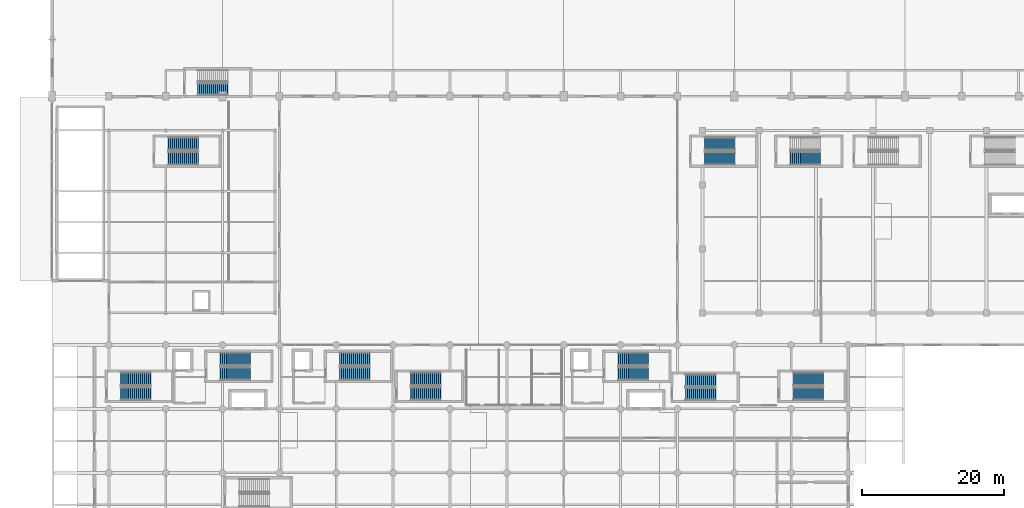
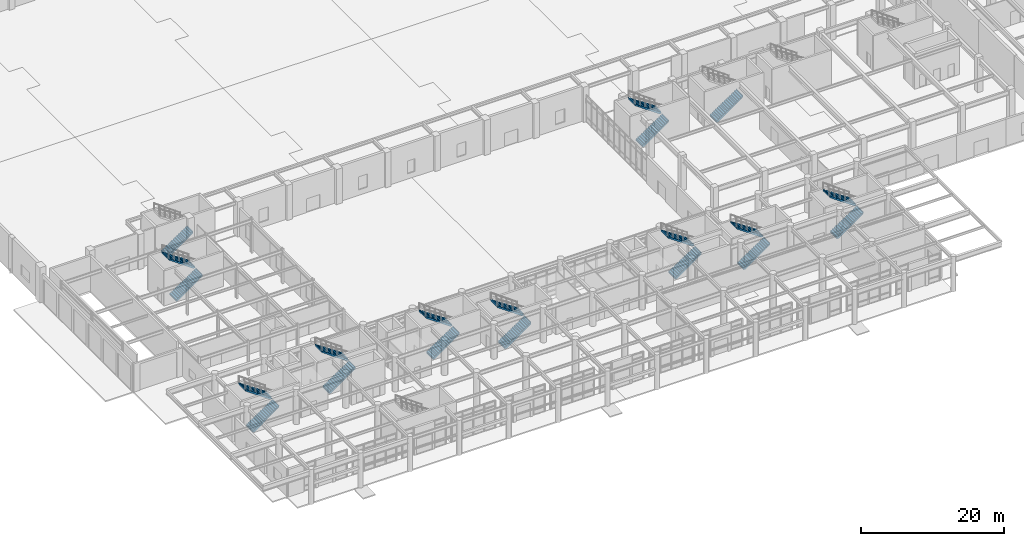
# One storey, part 38 of 49: 20 stair flights, 11 elements without a shape of their own.
"""IFC4 building model written with IfcOpenShell, lengths in metres."""

from ifc_helpers import new_model, si_unit, direction, frame, origin, place, context, subcontext, project, spatial, polyline, outline, extrude, material, type_object, element, aggregate, save


model = new_model("IFC4")

# Units and contexts
model_context = context("Model", 3, precision=1e-05, world=origin(), true_north=direction((0.0, 1.0)))
body_context = subcontext(model_context, "Body", "Model", "MODEL_VIEW")
ifc_project = project(units=[si_unit("LENGTHUNIT", "METRE"), si_unit("AREAUNIT", "SQUARE_METRE"), si_unit("VOLUMEUNIT", "CUBIC_METRE"), si_unit("PLANEANGLEUNIT", "RADIAN"), si_unit("MASSUNIT", "GRAM", prefix="KILO")], contexts=[model_context])

# Site, building, storey
site_placement = place(None, origin())
site = spatial("IfcSite", under=ifc_project, at=site_placement, CompositionType="ELEMENT")
building_placement = place(site_placement, origin())
building = spatial("IfcBuilding", under=site, at=building_placement, Name="Tlacozan Convention Centre", CompositionType="ELEMENT")
storey_placement = place(building_placement, origin())
storey = spatial("IfcBuildingStorey", under=building, at=storey_placement, Name="L00", CompositionType="ELEMENT", Elevation=0.0)

# Stair, stair flight
ifc_material = material(Name="Concrete C40/50", Category="concrete")
stair_type_1 = type_object("IfcStairType", Name="Protected Dogleg Stair W170 H60", PredefinedType="HALF_TURN_STAIR", material=ifc_material)
stair_1_placement = place(storey_placement, origin())
stair_1 = element("IfcStair", 1, at=stair_1_placement, inside=storey, type_object=stair_type_1, Name="L00 Exhibition West Stair", PredefinedType="HALF_TURN_STAIR")
stair_flight_type_1 = type_object("IfcStairFlightType", Name="Concrete Stair Flight W170 H60", PredefinedType="STRAIGHT", material=ifc_material)
stair_flight_1_placement = place(storey_placement, frame((20.5, 62.949951171875, 0.0), z_axis=(0.0, 0.0, 1.0), x_axis=(1.0, 0.0, 0.0)))
stair_flight_1 = element("IfcStairFlight", 2, at=stair_flight_1_placement, type_object=stair_flight_type_1, Name="ST-10 flight 1", NumberOfRisers=16, NumberOfTreads=15, PredefinedType="STRAIGHT", RiserHeight=0.1875, TreadLength=0.28, context=body_context, shape_type="SweptSolid", body=[
    extrude(outline(polyline([(-0.044921875, -0.14990234375), (-0.044921875, 0.0), (0.0, 0.0), (0.0, 0.1875), (0.280029296875, 0.1875), (0.280029296875, 0.375), (0.56005859375, 0.375), (0.56005859375, 0.5625), (0.840087890625, 0.5625), (0.840087890625, 0.75), (1.1201171875, 0.75), (1.1201171875, 0.9375), (1.39990234375, 0.9375), (1.39990234375, 1.125), (1.679931640625, 1.125), (1.679931640625, 1.3125), (1.9599609375, 1.3125), (1.9599609375, 1.5), (2.239990234375, 1.5), (2.239990234375, 1.6875), (2.52001953125, 1.6875), (2.52001953125, 1.875), (2.800048828125, 1.875), (2.800048828125, 2.0625), (3.080078125, 2.0625), (3.080078125, 2.25), (3.360107421875, 2.25), (3.360107421875, 2.4375), (3.639892578125, 2.4375), (3.639892578125, 2.625), (3.919921875, 2.625), (3.919921875, 2.8125), (4.199951171875, 2.8125), (4.199951171875, 3.0), (4.244873046875, 3.0), (4.244873046875, 2.85009765625), (4.199951171875, 2.632080078125), (0.26953125, -0.14990234375), (-0.044921875, -0.14990234375)])), frame((0.0, 0.85009765625, 0.0), z_axis=(0.0, -1.0, 0.0), x_axis=(1.0, 0.0, 0.0)), (0.0, 0.0, 1.0), 1.699951171875),
])
aggregate(stair_1, [stair_flight_1])

# Stair, stair flights
stair_type_2 = type_object("IfcStairType", Name="Protected Dogleg Stair W175 H60", PredefinedType="HALF_TURN_STAIR", material=ifc_material)
stair_2_placement = place(storey_placement, origin())
stair_2 = element("IfcStair", 3, at=stair_2_placement, inside=storey, type_object=stair_type_2, Name="L00 East Belvedere Congress Stair", PredefinedType="HALF_TURN_STAIR")
stair_flight_type_2 = type_object("IfcStairFlightType", Name="Concrete Stair Flight W175 H60", PredefinedType="STRAIGHT", material=ifc_material)
stair_flight_2_placement = place(storey_placement, frame((89.14990234375, 20.074951171875, 0.0), z_axis=(0.0, 0.0, 1.0), x_axis=(1.0, 0.0, 0.0)))
stair_flight_2 = element("IfcStairFlight", 4, at=stair_flight_2_placement, type_object=stair_flight_type_2, Name="ST-15 flight 1", NumberOfRisers=16, NumberOfTreads=15, PredefinedType="STRAIGHT", RiserHeight=0.1875, TreadLength=0.28, context=body_context, shape_type="SweptSolid", body=[
    extrude(outline(polyline([(-0.044921875, -0.14990234375), (-0.044921875, 0.0), (0.0, 0.0), (0.0, 0.1875), (0.280029296875, 0.1875), (0.280029296875, 0.375), (0.56005859375, 0.375), (0.56005859375, 0.5625), (0.840087890625, 0.5625), (0.840087890625, 0.75), (1.1201171875, 0.75), (1.1201171875, 0.9375), (1.39990234375, 0.9375), (1.39990234375, 1.125), (1.679931640625, 1.125), (1.679931640625, 1.3125), (1.9599609375, 1.3125), (1.9599609375, 1.5), (2.239990234375, 1.5), (2.239990234375, 1.6875), (2.52001953125, 1.6875), (2.52001953125, 1.875), (2.800048828125, 1.875), (2.800048828125, 2.0625), (3.080078125, 2.0625), (3.080078125, 2.25), (3.360107421875, 2.25), (3.360107421875, 2.4375), (3.639892578125, 2.4375), (3.639892578125, 2.625), (3.919921875, 2.625), (3.919921875, 2.8125), (4.199951171875, 2.8125), (4.199951171875, 3.0), (4.244873046875, 3.0), (4.244873046875, 2.85009765625), (4.199951171875, 2.632080078125), (0.26953125, -0.14990234375), (-0.044921875, -0.14990234375)])), frame((0.0, 0.875, 0.0), z_axis=(0.0, -1.0, 0.0), x_axis=(1.0, 0.0, 0.0)), (0.0, 0.0, 1.0), 1.75),
])
stair_flight_3_placement = place(storey_placement, frame((93.35009765625, 22.02490234375, 3.0), z_axis=(0.0, 0.0, 1.0), x_axis=(-1.0, 0.0, 0.0)))
stair_flight_3 = element("IfcStairFlight", 5, at=stair_flight_3_placement, type_object=stair_flight_type_2, Name="ST-15 flight 2", NumberOfRisers=16, NumberOfTreads=15, PredefinedType="STRAIGHT", RiserHeight=0.1875, TreadLength=0.28, context=body_context, shape_type="SweptSolid", body=[
    extrude(outline(polyline([(-0.044921875, -0.14990234375), (-0.044921875, 0.0), (0.0, 0.0), (0.0, 0.1875), (0.280029296875, 0.1875), (0.280029296875, 0.375), (0.56005859375, 0.375), (0.56005859375, 0.5625), (0.840087890625, 0.5625), (0.840087890625, 0.75), (1.1201171875, 0.75), (1.1201171875, 0.9375), (1.39990234375, 0.9375), (1.39990234375, 1.125), (1.679931640625, 1.125), (1.679931640625, 1.3125), (1.9599609375, 1.3125), (1.9599609375, 1.5), (2.239990234375, 1.5), (2.239990234375, 1.6875), (2.52001953125, 1.6875), (2.52001953125, 1.875), (2.800048828125, 1.875), (2.800048828125, 2.0625), (3.080078125, 2.0625), (3.080078125, 2.25), (3.360107421875, 2.25), (3.360107421875, 2.4375), (3.639892578125, 2.4375), (3.639892578125, 2.625), (3.919921875, 2.625), (3.919921875, 2.8125), (4.199951171875, 2.8125), (4.199951171875, 3.0), (4.244873046875, 3.0), (4.244873046875, 2.85009765625), (4.199951171875, 2.632080078125), (0.26953125, -0.14990234375), (-0.044921875, -0.14990234375)])), frame((0.0, 0.875, 0.0), z_axis=(0.0, -1.0, 0.0), x_axis=(1.0, 0.0, 0.0)), (0.0, 0.0, 1.0), 1.75),
])
aggregate(stair_2, [stair_flight_2, stair_flight_3])

stair_type_3 = type_object("IfcStairType", Name="Protected Dogleg Stair W188 H60", PredefinedType="HALF_TURN_STAIR", material=ifc_material)
stair_3_placement = place(storey_placement, origin())
stair_3 = element("IfcStair", 6, at=stair_3_placement, inside=storey, type_object=stair_type_3, Name="L00 West Congress Core Stair ST-01", PredefinedType="HALF_TURN_STAIR")
stair_flight_type_3 = type_object("IfcStairFlightType", Name="Concrete Stair Flight W188 H60", PredefinedType="STRAIGHT", material=ifc_material)
stair_flight_4_placement = place(storey_placement, frame((23.679931640625, 22.93994140625, 0.0), z_axis=(0.0, 0.0, 1.0), x_axis=(1.0, 0.0, 0.0)))
stair_flight_4 = element("IfcStairFlight", 7, at=stair_flight_4_placement, type_object=stair_flight_type_3, Name="ST-01 flight 1", NumberOfRisers=16, NumberOfTreads=15, PredefinedType="STRAIGHT", RiserHeight=0.1875, TreadLength=0.28, context=body_context, shape_type="SweptSolid", body=[
    extrude(outline(polyline([(-0.044921875, -0.14990234375), (-0.044921875, 0.0), (0.0, 0.0), (0.0, 0.1875), (0.280029296875, 0.1875), (0.280029296875, 0.375), (0.56005859375, 0.375), (0.56005859375, 0.5625), (0.840087890625, 0.5625), (0.840087890625, 0.75), (1.1201171875, 0.75), (1.1201171875, 0.9375), (1.39990234375, 0.9375), (1.39990234375, 1.125), (1.679931640625, 1.125), (1.679931640625, 1.3125), (1.9599609375, 1.3125), (1.9599609375, 1.5), (2.239990234375, 1.5), (2.239990234375, 1.6875), (2.52001953125, 1.6875), (2.52001953125, 1.875), (2.800048828125, 1.875), (2.800048828125, 2.0625), (3.080078125, 2.0625), (3.080078125, 2.25), (3.360107421875, 2.25), (3.360107421875, 2.4375), (3.639892578125, 2.4375), (3.639892578125, 2.625), (3.919921875, 2.625), (3.919921875, 2.8125), (4.199951171875, 2.8125), (4.199951171875, 3.0), (4.244873046875, 3.0), (4.244873046875, 2.85009765625), (4.199951171875, 2.632080078125), (0.26953125, -0.14990234375), (-0.044921875, -0.14990234375)])), frame((0.0, 0.93994140625, 0.0), z_axis=(0.0, -1.0, 0.0), x_axis=(1.0, 0.0, 0.0)), (0.0, 0.0, 1.0), 1.8798828125),
])
stair_flight_5_placement = place(storey_placement, frame((27.8798828125, 25.02001953125, 3.0), z_axis=(0.0, 0.0, 1.0), x_axis=(-1.0, 0.0, 0.0)))
stair_flight_5 = element("IfcStairFlight", 8, at=stair_flight_5_placement, type_object=stair_flight_type_3, Name="ST-01 flight 2", NumberOfRisers=16, NumberOfTreads=15, PredefinedType="STRAIGHT", RiserHeight=0.1875, TreadLength=0.28, context=body_context, shape_type="SweptSolid", body=[
    extrude(outline(polyline([(-0.044921875, -0.14990234375), (-0.044921875, 0.0), (0.0, 0.0), (0.0, 0.1875), (0.280029296875, 0.1875), (0.280029296875, 0.375), (0.56005859375, 0.375), (0.56005859375, 0.5625), (0.840087890625, 0.5625), (0.840087890625, 0.75), (1.1201171875, 0.75), (1.1201171875, 0.9375), (1.39990234375, 0.9375), (1.39990234375, 1.125), (1.679931640625, 1.125), (1.679931640625, 1.3125), (1.9599609375, 1.3125), (1.9599609375, 1.5), (2.239990234375, 1.5), (2.239990234375, 1.6875), (2.52001953125, 1.6875), (2.52001953125, 1.875), (2.800048828125, 1.875), (2.800048828125, 2.0625), (3.080078125, 2.0625), (3.080078125, 2.25), (3.360107421875, 2.25), (3.360107421875, 2.4375), (3.639892578125, 2.4375), (3.639892578125, 2.625), (3.919921875, 2.625), (3.919921875, 2.8125), (4.199951171875, 2.8125), (4.199951171875, 3.0), (4.244873046875, 3.0), (4.244873046875, 2.85009765625), (4.199951171875, 2.632080078125), (0.26953125, -0.14990234375), (-0.044921875, -0.14990234375)])), frame((0.0, 0.93994140625, 0.0), z_axis=(0.0, -1.0, 0.0), x_axis=(1.0, 0.0, 0.0)), (0.0, 0.0, 1.0), 1.8798828125),
])
aggregate(stair_3, [stair_flight_4, stair_flight_5])

stair_4_placement = place(storey_placement, origin())
stair_4 = element("IfcStair", 9, at=stair_4_placement, inside=storey, type_object=stair_type_3, Name="L00 East Congress Core Stair ST-02", PredefinedType="HALF_TURN_STAIR")
stair_flight_6_placement = place(storey_placement, frame((79.679931640625, 22.93994140625, 0.0), z_axis=(0.0, 0.0, 1.0), x_axis=(1.0, 0.0, 0.0)))
stair_flight_6 = element("IfcStairFlight", 10, at=stair_flight_6_placement, type_object=stair_flight_type_3, Name="ST-02 flight 1", NumberOfRisers=16, NumberOfTreads=15, PredefinedType="STRAIGHT", RiserHeight=0.1875, TreadLength=0.28, context=body_context, shape_type="SweptSolid", body=[
    extrude(outline(polyline([(-0.044921875, -0.14990234375), (-0.044921875, 0.0), (0.0, 0.0), (0.0, 0.1875), (0.280029296875, 0.1875), (0.280029296875, 0.375), (0.56005859375, 0.375), (0.56005859375, 0.5625), (0.840087890625, 0.5625), (0.840087890625, 0.75), (1.1201171875, 0.75), (1.1201171875, 0.9375), (1.39990234375, 0.9375), (1.39990234375, 1.125), (1.679931640625, 1.125), (1.679931640625, 1.3125), (1.9599609375, 1.3125), (1.9599609375, 1.5), (2.239990234375, 1.5), (2.239990234375, 1.6875), (2.52001953125, 1.6875), (2.52001953125, 1.875), (2.800048828125, 1.875), (2.800048828125, 2.0625), (3.080078125, 2.0625), (3.080078125, 2.25), (3.360107421875, 2.25), (3.360107421875, 2.4375), (3.639892578125, 2.4375), (3.639892578125, 2.625), (3.919921875, 2.625), (3.919921875, 2.8125), (4.199951171875, 2.8125), (4.199951171875, 3.0), (4.244873046875, 3.0), (4.244873046875, 2.85009765625), (4.199951171875, 2.632080078125), (0.26953125, -0.14990234375), (-0.044921875, -0.14990234375)])), frame((0.0, 0.93994140625, 0.0), z_axis=(0.0, -1.0, 0.0), x_axis=(1.0, 0.0, 0.0)), (0.0, 0.0, 1.0), 1.8798828125),
])
stair_flight_7_placement = place(storey_placement, frame((83.8798828125, 25.02001953125, 3.0), z_axis=(0.0, 0.0, 1.0), x_axis=(-1.0, 0.0, 0.0)))
stair_flight_7 = element("IfcStairFlight", 11, at=stair_flight_7_placement, type_object=stair_flight_type_3, Name="ST-02 flight 2", NumberOfRisers=16, NumberOfTreads=15, PredefinedType="STRAIGHT", RiserHeight=0.1875, TreadLength=0.28, context=body_context, shape_type="SweptSolid", body=[
    extrude(outline(polyline([(-0.044921875, -0.14990234375), (-0.044921875, 0.0), (0.0, 0.0), (0.0, 0.1875), (0.280029296875, 0.1875), (0.280029296875, 0.375), (0.56005859375, 0.375), (0.56005859375, 0.5625), (0.840087890625, 0.5625), (0.840087890625, 0.75), (1.1201171875, 0.75), (1.1201171875, 0.9375), (1.39990234375, 0.9375), (1.39990234375, 1.125), (1.679931640625, 1.125), (1.679931640625, 1.3125), (1.9599609375, 1.3125), (1.9599609375, 1.5), (2.239990234375, 1.5), (2.239990234375, 1.6875), (2.52001953125, 1.6875), (2.52001953125, 1.875), (2.800048828125, 1.875), (2.800048828125, 2.0625), (3.080078125, 2.0625), (3.080078125, 2.25), (3.360107421875, 2.25), (3.360107421875, 2.4375), (3.639892578125, 2.4375), (3.639892578125, 2.625), (3.919921875, 2.625), (3.919921875, 2.8125), (4.199951171875, 2.8125), (4.199951171875, 3.0), (4.244873046875, 3.0), (4.244873046875, 2.85009765625), (4.199951171875, 2.632080078125), (0.26953125, -0.14990234375), (-0.044921875, -0.14990234375)])), frame((0.0, 0.93994140625, 0.0), z_axis=(0.0, -1.0, 0.0), x_axis=(1.0, 0.0, 0.0)), (0.0, 0.0, 1.0), 1.8798828125),
])
aggregate(stair_4, [stair_flight_6, stair_flight_7])

stair_5_placement = place(storey_placement, origin())
stair_5 = element("IfcStair", 12, at=stair_5_placement, inside=storey, type_object=stair_type_3, Name="L00 Central Congress Core Stair ST-04", PredefinedType="HALF_TURN_STAIR")
stair_flight_8_placement = place(storey_placement, frame((40.47998046875, 22.93994140625, 0.0), z_axis=(0.0, 0.0, 1.0), x_axis=(1.0, 0.0, 0.0)))
stair_flight_8 = element("IfcStairFlight", 13, at=stair_flight_8_placement, type_object=stair_flight_type_3, Name="ST-04 flight 1", NumberOfRisers=16, NumberOfTreads=15, PredefinedType="STRAIGHT", RiserHeight=0.1875, TreadLength=0.28, context=body_context, shape_type="SweptSolid", body=[
    extrude(outline(polyline([(-0.044921875, -0.14990234375), (-0.044921875, 0.0), (0.0, 0.0), (0.0, 0.1875), (0.280029296875, 0.1875), (0.280029296875, 0.375), (0.56005859375, 0.375), (0.56005859375, 0.5625), (0.840087890625, 0.5625), (0.840087890625, 0.75), (1.1201171875, 0.75), (1.1201171875, 0.9375), (1.39990234375, 0.9375), (1.39990234375, 1.125), (1.679931640625, 1.125), (1.679931640625, 1.3125), (1.9599609375, 1.3125), (1.9599609375, 1.5), (2.239990234375, 1.5), (2.239990234375, 1.6875), (2.52001953125, 1.6875), (2.52001953125, 1.875), (2.800048828125, 1.875), (2.800048828125, 2.0625), (3.080078125, 2.0625), (3.080078125, 2.25), (3.360107421875, 2.25), (3.360107421875, 2.4375), (3.639892578125, 2.4375), (3.639892578125, 2.625), (3.919921875, 2.625), (3.919921875, 2.8125), (4.199951171875, 2.8125), (4.199951171875, 3.0), (4.244873046875, 3.0), (4.244873046875, 2.85009765625), (4.199951171875, 2.632080078125), (0.26953125, -0.14990234375), (-0.044921875, -0.14990234375)])), frame((0.0, 0.93994140625, 0.0), z_axis=(0.0, -1.0, 0.0), x_axis=(1.0, 0.0, 0.0)), (0.0, 0.0, 1.0), 1.8798828125),
])
stair_flight_9_placement = place(storey_placement, frame((44.679931640625, 25.02001953125, 3.0), z_axis=(0.0, 0.0, 1.0), x_axis=(-1.0, 0.0, 0.0)))
stair_flight_9 = element("IfcStairFlight", 14, at=stair_flight_9_placement, type_object=stair_flight_type_3, Name="ST-04 flight 2", NumberOfRisers=16, NumberOfTreads=15, PredefinedType="STRAIGHT", RiserHeight=0.1875, TreadLength=0.28, context=body_context, shape_type="SweptSolid", body=[
    extrude(outline(polyline([(-0.044921875, -0.14990234375), (-0.044921875, 0.0), (0.0, 0.0), (0.0, 0.1875), (0.280029296875, 0.1875), (0.280029296875, 0.375), (0.56005859375, 0.375), (0.56005859375, 0.5625), (0.840087890625, 0.5625), (0.840087890625, 0.75), (1.1201171875, 0.75), (1.1201171875, 0.9375), (1.39990234375, 0.9375), (1.39990234375, 1.125), (1.679931640625, 1.125), (1.679931640625, 1.3125), (1.9599609375, 1.3125), (1.9599609375, 1.5), (2.239990234375, 1.5), (2.239990234375, 1.6875), (2.52001953125, 1.6875), (2.52001953125, 1.875), (2.800048828125, 1.875), (2.800048828125, 2.0625), (3.080078125, 2.0625), (3.080078125, 2.25), (3.360107421875, 2.25), (3.360107421875, 2.4375), (3.639892578125, 2.4375), (3.639892578125, 2.625), (3.919921875, 2.625), (3.919921875, 2.8125), (4.199951171875, 2.8125), (4.199951171875, 3.0), (4.244873046875, 3.0), (4.244873046875, 2.85009765625), (4.199951171875, 2.632080078125), (0.26953125, -0.14990234375), (-0.044921875, -0.14990234375)])), frame((0.0, 0.93994140625, 0.0), z_axis=(0.0, -1.0, 0.0), x_axis=(1.0, 0.0, 0.0)), (0.0, 0.0, 1.0), 1.8798828125),
])
aggregate(stair_5, [stair_flight_8, stair_flight_9])

stair_6_placement = place(storey_placement, origin())
stair_6 = element("IfcStair", 15, at=stair_6_placement, inside=storey, type_object=stair_type_3, Name="L00 East Congress Stair", PredefinedType="HALF_TURN_STAIR")
stair_flight_10_placement = place(storey_placement, frame((104.280029296875, 20.139892578125, 0.0), z_axis=(0.0, 0.0, 1.0), x_axis=(1.0, 0.0, 0.0)))
stair_flight_10 = element("IfcStairFlight", 16, at=stair_flight_10_placement, type_object=stair_flight_type_3, Name="ST-05 flight 1", NumberOfRisers=16, NumberOfTreads=15, PredefinedType="STRAIGHT", RiserHeight=0.1875, TreadLength=0.28, context=body_context, shape_type="SweptSolid", body=[
    extrude(outline(polyline([(-0.044921875, -0.14990234375), (-0.044921875, 0.0), (0.0, 0.0), (0.0, 0.1875), (0.280029296875, 0.1875), (0.280029296875, 0.375), (0.56005859375, 0.375), (0.56005859375, 0.5625), (0.840087890625, 0.5625), (0.840087890625, 0.75), (1.1201171875, 0.75), (1.1201171875, 0.9375), (1.39990234375, 0.9375), (1.39990234375, 1.125), (1.679931640625, 1.125), (1.679931640625, 1.3125), (1.9599609375, 1.3125), (1.9599609375, 1.5), (2.239990234375, 1.5), (2.239990234375, 1.6875), (2.52001953125, 1.6875), (2.52001953125, 1.875), (2.800048828125, 1.875), (2.800048828125, 2.0625), (3.080078125, 2.0625), (3.080078125, 2.25), (3.360107421875, 2.25), (3.360107421875, 2.4375), (3.639892578125, 2.4375), (3.639892578125, 2.625), (3.919921875, 2.625), (3.919921875, 2.8125), (4.199951171875, 2.8125), (4.199951171875, 3.0), (4.244873046875, 3.0), (4.244873046875, 2.85009765625), (4.199951171875, 2.632080078125), (0.26953125, -0.14990234375), (-0.044921875, -0.14990234375)])), frame((0.0, 0.93994140625, 0.0), z_axis=(0.0, -1.0, 0.0), x_axis=(1.0, 0.0, 0.0)), (0.0, 0.0, 1.0), 1.8798828125),
])
stair_flight_11_placement = place(storey_placement, frame((108.47998046875, 22.219970703125, 3.0), z_axis=(0.0, 0.0, 1.0), x_axis=(-1.0, 0.0, 0.0)))
stair_flight_11 = element("IfcStairFlight", 17, at=stair_flight_11_placement, type_object=stair_flight_type_3, Name="ST-05 flight 2", NumberOfRisers=16, NumberOfTreads=15, PredefinedType="STRAIGHT", RiserHeight=0.1875, TreadLength=0.28, context=body_context, shape_type="SweptSolid", body=[
    extrude(outline(polyline([(-0.044921875, -0.14990234375), (-0.044921875, 0.0), (0.0, 0.0), (0.0, 0.1875), (0.280029296875, 0.1875), (0.280029296875, 0.375), (0.56005859375, 0.375), (0.56005859375, 0.5625), (0.840087890625, 0.5625), (0.840087890625, 0.75), (1.1201171875, 0.75), (1.1201171875, 0.9375), (1.39990234375, 0.9375), (1.39990234375, 1.125), (1.679931640625, 1.125), (1.679931640625, 1.3125), (1.9599609375, 1.3125), (1.9599609375, 1.5), (2.239990234375, 1.5), (2.239990234375, 1.6875), (2.52001953125, 1.6875), (2.52001953125, 1.875), (2.800048828125, 1.875), (2.800048828125, 2.0625), (3.080078125, 2.0625), (3.080078125, 2.25), (3.360107421875, 2.25), (3.360107421875, 2.4375), (3.639892578125, 2.4375), (3.639892578125, 2.625), (3.919921875, 2.625), (3.919921875, 2.8125), (4.199951171875, 2.8125), (4.199951171875, 3.0), (4.244873046875, 3.0), (4.244873046875, 2.85009765625), (4.199951171875, 2.632080078125), (0.26953125, -0.14990234375), (-0.044921875, -0.14990234375)])), frame((0.0, 0.93994140625, 0.0), z_axis=(0.0, -1.0, 0.0), x_axis=(1.0, 0.0, 0.0)), (0.0, 0.0, 1.0), 1.8798828125),
])
aggregate(stair_6, [stair_flight_10, stair_flight_11])

stair_7_placement = place(storey_placement, origin())
stair_7 = element("IfcStair", 18, at=stair_7_placement, inside=storey, type_object=stair_type_3, Name="L00 West Belvedere Congress Stair", PredefinedType="HALF_TURN_STAIR")
stair_flight_12_placement = place(storey_placement, frame((9.679931640625, 20.139892578125, 0.0), z_axis=(0.0, 0.0, 1.0), x_axis=(1.0, 0.0, 0.0)))
stair_flight_12 = element("IfcStairFlight", 19, at=stair_flight_12_placement, type_object=stair_flight_type_3, Name="ST-13 flight 1", NumberOfRisers=16, NumberOfTreads=15, PredefinedType="STRAIGHT", RiserHeight=0.1875, TreadLength=0.28, context=body_context, shape_type="SweptSolid", body=[
    extrude(outline(polyline([(-0.044921875, -0.14990234375), (-0.044921875, 0.0), (0.0, 0.0), (0.0, 0.1875), (0.280029296875, 0.1875), (0.280029296875, 0.375), (0.56005859375, 0.375), (0.56005859375, 0.5625), (0.840087890625, 0.5625), (0.840087890625, 0.75), (1.1201171875, 0.75), (1.1201171875, 0.9375), (1.39990234375, 0.9375), (1.39990234375, 1.125), (1.679931640625, 1.125), (1.679931640625, 1.3125), (1.9599609375, 1.3125), (1.9599609375, 1.5), (2.239990234375, 1.5), (2.239990234375, 1.6875), (2.52001953125, 1.6875), (2.52001953125, 1.875), (2.800048828125, 1.875), (2.800048828125, 2.0625), (3.080078125, 2.0625), (3.080078125, 2.25), (3.360107421875, 2.25), (3.360107421875, 2.4375), (3.639892578125, 2.4375), (3.639892578125, 2.625), (3.919921875, 2.625), (3.919921875, 2.8125), (4.199951171875, 2.8125), (4.199951171875, 3.0), (4.244873046875, 3.0), (4.244873046875, 2.85009765625), (4.199951171875, 2.632080078125), (0.26953125, -0.14990234375), (-0.044921875, -0.14990234375)])), frame((0.0, 0.93994140625, 0.0), z_axis=(0.0, -1.0, 0.0), x_axis=(1.0, 0.0, 0.0)), (0.0, 0.0, 1.0), 1.8798828125),
])
stair_flight_13_placement = place(storey_placement, frame((13.8798828125, 22.219970703125, 3.0), z_axis=(0.0, 0.0, 1.0), x_axis=(-1.0, 0.0, 0.0)))
stair_flight_13 = element("IfcStairFlight", 20, at=stair_flight_13_placement, type_object=stair_flight_type_3, Name="ST-13 flight 2", NumberOfRisers=16, NumberOfTreads=15, PredefinedType="STRAIGHT", RiserHeight=0.1875, TreadLength=0.28, context=body_context, shape_type="SweptSolid", body=[
    extrude(outline(polyline([(-0.044921875, -0.14990234375), (-0.044921875, 0.0), (0.0, 0.0), (0.0, 0.1875), (0.280029296875, 0.1875), (0.280029296875, 0.375), (0.56005859375, 0.375), (0.56005859375, 0.5625), (0.840087890625, 0.5625), (0.840087890625, 0.75), (1.1201171875, 0.75), (1.1201171875, 0.9375), (1.39990234375, 0.9375), (1.39990234375, 1.125), (1.679931640625, 1.125), (1.679931640625, 1.3125), (1.9599609375, 1.3125), (1.9599609375, 1.5), (2.239990234375, 1.5), (2.239990234375, 1.6875), (2.52001953125, 1.6875), (2.52001953125, 1.875), (2.800048828125, 1.875), (2.800048828125, 2.0625), (3.080078125, 2.0625), (3.080078125, 2.25), (3.360107421875, 2.25), (3.360107421875, 2.4375), (3.639892578125, 2.4375), (3.639892578125, 2.625), (3.919921875, 2.625), (3.919921875, 2.8125), (4.199951171875, 2.8125), (4.199951171875, 3.0), (4.244873046875, 3.0), (4.244873046875, 2.85009765625), (4.199951171875, 2.632080078125), (0.26953125, -0.14990234375), (-0.044921875, -0.14990234375)])), frame((0.0, 0.93994140625, 0.0), z_axis=(0.0, -1.0, 0.0), x_axis=(1.0, 0.0, 0.0)), (0.0, 0.0, 1.0), 1.8798828125),
])
aggregate(stair_7, [stair_flight_12, stair_flight_13])

stair_8_placement = place(storey_placement, origin())
stair_8 = element("IfcStair", 21, at=stair_8_placement, inside=storey, type_object=stair_type_3, Name="L00 Central Promenade Congress Stair", PredefinedType="HALF_TURN_STAIR")
stair_flight_14_placement = place(storey_placement, frame((50.47998046875, 20.139892578125, 0.0), z_axis=(0.0, 0.0, 1.0), x_axis=(1.0, 0.0, 0.0)))
stair_flight_14 = element("IfcStairFlight", 22, at=stair_flight_14_placement, type_object=stair_flight_type_3, Name="ST-14 flight 1", NumberOfRisers=16, NumberOfTreads=15, PredefinedType="STRAIGHT", RiserHeight=0.1875, TreadLength=0.28, context=body_context, shape_type="SweptSolid", body=[
    extrude(outline(polyline([(-0.044921875, -0.14990234375), (-0.044921875, 0.0), (0.0, 0.0), (0.0, 0.1875), (0.280029296875, 0.1875), (0.280029296875, 0.375), (0.56005859375, 0.375), (0.56005859375, 0.5625), (0.840087890625, 0.5625), (0.840087890625, 0.75), (1.1201171875, 0.75), (1.1201171875, 0.9375), (1.39990234375, 0.9375), (1.39990234375, 1.125), (1.679931640625, 1.125), (1.679931640625, 1.3125), (1.9599609375, 1.3125), (1.9599609375, 1.5), (2.239990234375, 1.5), (2.239990234375, 1.6875), (2.52001953125, 1.6875), (2.52001953125, 1.875), (2.800048828125, 1.875), (2.800048828125, 2.0625), (3.080078125, 2.0625), (3.080078125, 2.25), (3.360107421875, 2.25), (3.360107421875, 2.4375), (3.639892578125, 2.4375), (3.639892578125, 2.625), (3.919921875, 2.625), (3.919921875, 2.8125), (4.199951171875, 2.8125), (4.199951171875, 3.0), (4.244873046875, 3.0), (4.244873046875, 2.85009765625), (4.199951171875, 2.632080078125), (0.26953125, -0.14990234375), (-0.044921875, -0.14990234375)])), frame((0.0, 0.93994140625, 0.0), z_axis=(0.0, -1.0, 0.0), x_axis=(1.0, 0.0, 0.0)), (0.0, 0.0, 1.0), 1.8798828125),
])
stair_flight_15_placement = place(storey_placement, frame((54.679931640625, 22.219970703125, 3.0), z_axis=(0.0, 0.0, 1.0), x_axis=(-1.0, 0.0, 0.0)))
stair_flight_15 = element("IfcStairFlight", 23, at=stair_flight_15_placement, type_object=stair_flight_type_3, Name="ST-14 flight 2", NumberOfRisers=16, NumberOfTreads=15, PredefinedType="STRAIGHT", RiserHeight=0.1875, TreadLength=0.28, context=body_context, shape_type="SweptSolid", body=[
    extrude(outline(polyline([(-0.044921875, -0.14990234375), (-0.044921875, 0.0), (0.0, 0.0), (0.0, 0.1875), (0.280029296875, 0.1875), (0.280029296875, 0.375), (0.56005859375, 0.375), (0.56005859375, 0.5625), (0.840087890625, 0.5625), (0.840087890625, 0.75), (1.1201171875, 0.75), (1.1201171875, 0.9375), (1.39990234375, 0.9375), (1.39990234375, 1.125), (1.679931640625, 1.125), (1.679931640625, 1.3125), (1.9599609375, 1.3125), (1.9599609375, 1.5), (2.239990234375, 1.5), (2.239990234375, 1.6875), (2.52001953125, 1.6875), (2.52001953125, 1.875), (2.800048828125, 1.875), (2.800048828125, 2.0625), (3.080078125, 2.0625), (3.080078125, 2.25), (3.360107421875, 2.25), (3.360107421875, 2.4375), (3.639892578125, 2.4375), (3.639892578125, 2.625), (3.919921875, 2.625), (3.919921875, 2.8125), (4.199951171875, 2.8125), (4.199951171875, 3.0), (4.244873046875, 3.0), (4.244873046875, 2.85009765625), (4.199951171875, 2.632080078125), (0.26953125, -0.14990234375), (-0.044921875, -0.14990234375)])), frame((0.0, 0.93994140625, 0.0), z_axis=(0.0, -1.0, 0.0), x_axis=(1.0, 0.0, 0.0)), (0.0, 0.0, 1.0), 1.8798828125),
])
aggregate(stair_8, [stair_flight_14, stair_flight_15])

stair_9_placement = place(storey_placement, origin())
stair_9 = element("IfcStair", 24, at=stair_9_placement, inside=storey, type_object=stair_type_3, Name="L00 Ballroom West Stair", PredefinedType="HALF_TURN_STAIR")
stair_flight_16_placement = place(storey_placement, frame((91.8798828125, 53.239990234375, 0.0), z_axis=(0.0, 0.0, 1.0), x_axis=(1.0, 0.0, 0.0)))
stair_flight_16 = element("IfcStairFlight", 25, at=stair_flight_16_placement, type_object=stair_flight_type_3, Name="ST-06 flight 1", NumberOfRisers=16, NumberOfTreads=15, PredefinedType="STRAIGHT", RiserHeight=0.1875, TreadLength=0.28, context=body_context, shape_type="SweptSolid", body=[
    extrude(outline(polyline([(-0.044921875, -0.14990234375), (-0.044921875, 0.0), (0.0, 0.0), (0.0, 0.1875), (0.280029296875, 0.1875), (0.280029296875, 0.375), (0.56005859375, 0.375), (0.56005859375, 0.5625), (0.840087890625, 0.5625), (0.840087890625, 0.75), (1.1201171875, 0.75), (1.1201171875, 0.9375), (1.39990234375, 0.9375), (1.39990234375, 1.125), (1.679931640625, 1.125), (1.679931640625, 1.3125), (1.9599609375, 1.3125), (1.9599609375, 1.5), (2.239990234375, 1.5), (2.239990234375, 1.6875), (2.52001953125, 1.6875), (2.52001953125, 1.875), (2.800048828125, 1.875), (2.800048828125, 2.0625), (3.080078125, 2.0625), (3.080078125, 2.25), (3.360107421875, 2.25), (3.360107421875, 2.4375), (3.639892578125, 2.4375), (3.639892578125, 2.625), (3.919921875, 2.625), (3.919921875, 2.8125), (4.199951171875, 2.8125), (4.199951171875, 3.0), (4.244873046875, 3.0), (4.244873046875, 2.85009765625), (4.199951171875, 2.632080078125), (0.26953125, -0.14990234375), (-0.044921875, -0.14990234375)])), frame((0.0, 0.93994140625, 0.0), z_axis=(0.0, -1.0, 0.0), x_axis=(1.0, 0.0, 0.0)), (0.0, 0.0, 1.0), 1.8798828125),
])
stair_flight_17_placement = place(storey_placement, frame((96.080078125, 55.320068359375, 3.0), z_axis=(0.0, 0.0, 1.0), x_axis=(-1.0, 0.0, 0.0)))
stair_flight_17 = element("IfcStairFlight", 26, at=stair_flight_17_placement, type_object=stair_flight_type_3, Name="ST-06 flight 2", NumberOfRisers=16, NumberOfTreads=15, PredefinedType="STRAIGHT", RiserHeight=0.1875, TreadLength=0.28, context=body_context, shape_type="SweptSolid", body=[
    extrude(outline(polyline([(-0.044921875, -0.14990234375), (-0.044921875, 0.0), (0.0, 0.0), (0.0, 0.1875), (0.280029296875, 0.1875), (0.280029296875, 0.375), (0.56005859375, 0.375), (0.56005859375, 0.5625), (0.840087890625, 0.5625), (0.840087890625, 0.75), (1.1201171875, 0.75), (1.1201171875, 0.9375), (1.39990234375, 0.9375), (1.39990234375, 1.125), (1.679931640625, 1.125), (1.679931640625, 1.3125), (1.9599609375, 1.3125), (1.9599609375, 1.5), (2.239990234375, 1.5), (2.239990234375, 1.6875), (2.52001953125, 1.6875), (2.52001953125, 1.875), (2.800048828125, 1.875), (2.800048828125, 2.0625), (3.080078125, 2.0625), (3.080078125, 2.25), (3.360107421875, 2.25), (3.360107421875, 2.4375), (3.639892578125, 2.4375), (3.639892578125, 2.625), (3.919921875, 2.625), (3.919921875, 2.8125), (4.199951171875, 2.8125), (4.199951171875, 3.0), (4.244873046875, 3.0), (4.244873046875, 2.85009765625), (4.199951171875, 2.632080078125), (0.26953125, -0.14990234375), (-0.044921875, -0.14990234375)])), frame((0.0, 0.93994140625, 0.0), z_axis=(0.0, -1.0, 0.0), x_axis=(1.0, 0.0, 0.0)), (0.0, 0.0, 1.0), 1.8798828125),
])
aggregate(stair_9, [stair_flight_16, stair_flight_17])

# Stair, stair flight
stair_10_placement = place(storey_placement, origin())
stair_10 = element("IfcStair", 27, at=stair_10_placement, inside=storey, type_object=stair_type_3, Name="L00 Ballroom Courtyard Stair", PredefinedType="HALF_TURN_STAIR")
stair_flight_18_placement = place(storey_placement, frame((103.8798828125, 53.239990234375, 0.0), z_axis=(0.0, 0.0, 1.0), x_axis=(1.0, 0.0, 0.0)))
stair_flight_18 = element("IfcStairFlight", 28, at=stair_flight_18_placement, type_object=stair_flight_type_3, Name="ST-17 flight 1", NumberOfRisers=16, NumberOfTreads=15, PredefinedType="STRAIGHT", RiserHeight=0.1875, TreadLength=0.28, context=body_context, shape_type="SweptSolid", body=[
    extrude(outline(polyline([(-0.044921875, -0.14990234375), (-0.044921875, 0.0), (0.0, 0.0), (0.0, 0.1875), (0.280029296875, 0.1875), (0.280029296875, 0.375), (0.56005859375, 0.375), (0.56005859375, 0.5625), (0.840087890625, 0.5625), (0.840087890625, 0.75), (1.1201171875, 0.75), (1.1201171875, 0.9375), (1.39990234375, 0.9375), (1.39990234375, 1.125), (1.679931640625, 1.125), (1.679931640625, 1.3125), (1.9599609375, 1.3125), (1.9599609375, 1.5), (2.239990234375, 1.5), (2.239990234375, 1.6875), (2.52001953125, 1.6875), (2.52001953125, 1.875), (2.800048828125, 1.875), (2.800048828125, 2.0625), (3.080078125, 2.0625), (3.080078125, 2.25), (3.360107421875, 2.25), (3.360107421875, 2.4375), (3.639892578125, 2.4375), (3.639892578125, 2.625), (3.919921875, 2.625), (3.919921875, 2.8125), (4.199951171875, 2.8125), (4.199951171875, 3.0), (4.244873046875, 3.0), (4.244873046875, 2.85009765625), (4.199951171875, 2.632080078125), (0.26953125, -0.14990234375), (-0.044921875, -0.14990234375)])), frame((0.0, 0.93994140625, 0.0), z_axis=(0.0, -1.0, 0.0), x_axis=(1.0, 0.0, 0.0)), (0.0, 0.0, 1.0), 1.8798828125),
])
aggregate(stair_10, [stair_flight_18])

# Stair, stair flights
stair_11_placement = place(storey_placement, origin())
stair_11 = element("IfcStair", 29, at=stair_11_placement, inside=storey, type_object=stair_type_3, Name="L00 Service Wing Stair", PredefinedType="HALF_TURN_STAIR")
stair_flight_19_placement = place(storey_placement, frame((16.3798828125, 53.239990234375, 0.0), z_axis=(0.0, 0.0, 1.0), x_axis=(1.0, 0.0, 0.0)))
stair_flight_19 = element("IfcStairFlight", 30, at=stair_flight_19_placement, type_object=stair_flight_type_3, Name="ST-09 flight 1", NumberOfRisers=16, NumberOfTreads=15, PredefinedType="STRAIGHT", RiserHeight=0.1875, TreadLength=0.28, context=body_context, shape_type="SweptSolid", body=[
    extrude(outline(polyline([(-0.044921875, -0.14990234375), (-0.044921875, 0.0), (0.0, 0.0), (0.0, 0.1875), (0.280029296875, 0.1875), (0.280029296875, 0.375), (0.56005859375, 0.375), (0.56005859375, 0.5625), (0.840087890625, 0.5625), (0.840087890625, 0.75), (1.1201171875, 0.75), (1.1201171875, 0.9375), (1.39990234375, 0.9375), (1.39990234375, 1.125), (1.679931640625, 1.125), (1.679931640625, 1.3125), (1.9599609375, 1.3125), (1.9599609375, 1.5), (2.239990234375, 1.5), (2.239990234375, 1.6875), (2.52001953125, 1.6875), (2.52001953125, 1.875), (2.800048828125, 1.875), (2.800048828125, 2.0625), (3.080078125, 2.0625), (3.080078125, 2.25), (3.360107421875, 2.25), (3.360107421875, 2.4375), (3.639892578125, 2.4375), (3.639892578125, 2.625), (3.919921875, 2.625), (3.919921875, 2.8125), (4.199951171875, 2.8125), (4.199951171875, 3.0), (4.244873046875, 3.0), (4.244873046875, 2.85009765625), (4.199951171875, 2.632080078125), (0.26953125, -0.14990234375), (-0.044921875, -0.14990234375)])), frame((0.0, 0.93994140625, 0.0), z_axis=(0.0, -1.0, 0.0), x_axis=(1.0, 0.0, 0.0)), (0.0, 0.0, 1.0), 1.8798828125),
])
stair_flight_20_placement = place(storey_placement, frame((20.580078125, 55.320068359375, 3.0), z_axis=(0.0, 0.0, 1.0), x_axis=(-1.0, 0.0, 0.0)))
stair_flight_20 = element("IfcStairFlight", 31, at=stair_flight_20_placement, type_object=stair_flight_type_3, Name="ST-09 flight 2", NumberOfRisers=16, NumberOfTreads=15, PredefinedType="STRAIGHT", RiserHeight=0.1875, TreadLength=0.28, context=body_context, shape_type="SweptSolid", body=[
    extrude(outline(polyline([(-0.044921875, -0.14990234375), (-0.044921875, 0.0), (0.0, 0.0), (0.0, 0.1875), (0.280029296875, 0.1875), (0.280029296875, 0.375), (0.56005859375, 0.375), (0.56005859375, 0.5625), (0.840087890625, 0.5625), (0.840087890625, 0.75), (1.1201171875, 0.75), (1.1201171875, 0.9375), (1.39990234375, 0.9375), (1.39990234375, 1.125), (1.679931640625, 1.125), (1.679931640625, 1.3125), (1.9599609375, 1.3125), (1.9599609375, 1.5), (2.239990234375, 1.5), (2.239990234375, 1.6875), (2.52001953125, 1.6875), (2.52001953125, 1.875), (2.800048828125, 1.875), (2.800048828125, 2.0625), (3.080078125, 2.0625), (3.080078125, 2.25), (3.360107421875, 2.25), (3.360107421875, 2.4375), (3.639892578125, 2.4375), (3.639892578125, 2.625), (3.919921875, 2.625), (3.919921875, 2.8125), (4.199951171875, 2.8125), (4.199951171875, 3.0), (4.244873046875, 3.0), (4.244873046875, 2.85009765625), (4.199951171875, 2.632080078125), (0.26953125, -0.14990234375), (-0.044921875, -0.14990234375)])), frame((0.0, 0.93994140625, 0.0), z_axis=(0.0, -1.0, 0.0), x_axis=(1.0, 0.0, 0.0)), (0.0, 0.0, 1.0), 1.8798828125),
])
aggregate(stair_11, [stair_flight_19, stair_flight_20])

save(model, "model.ifc")
